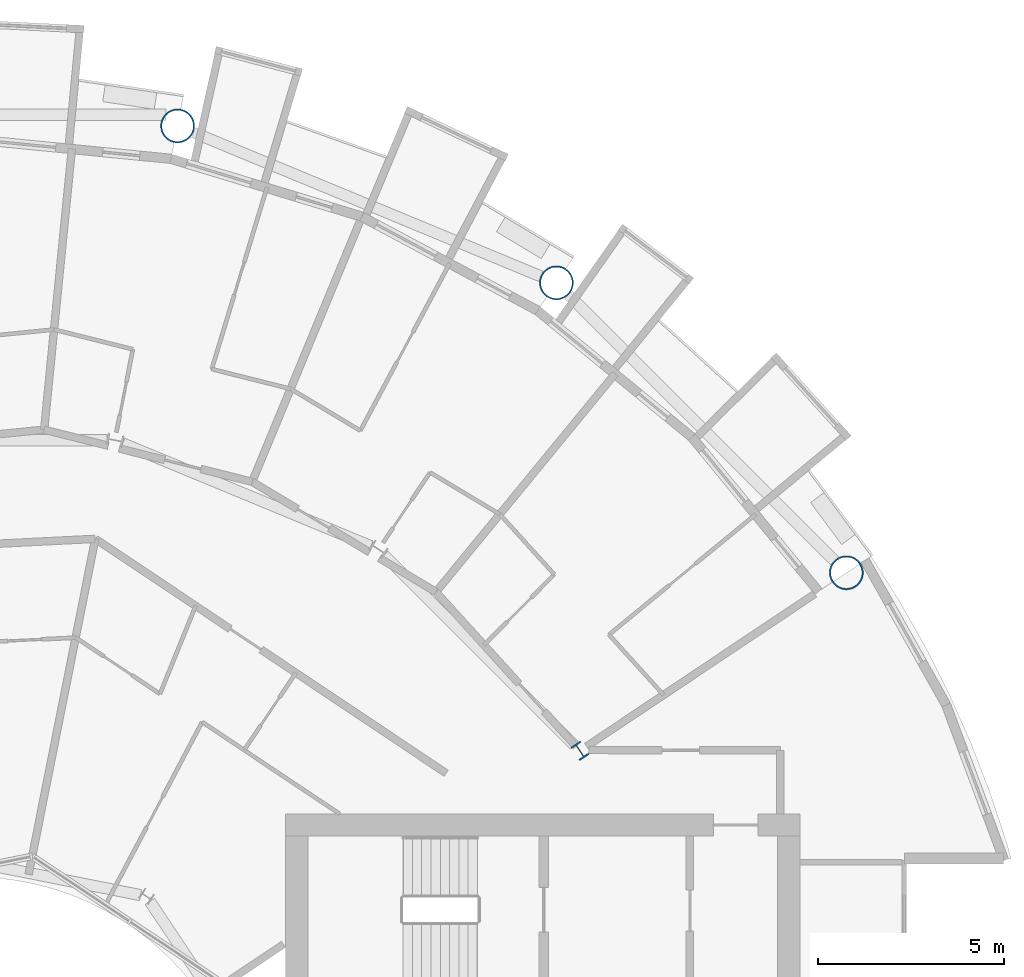
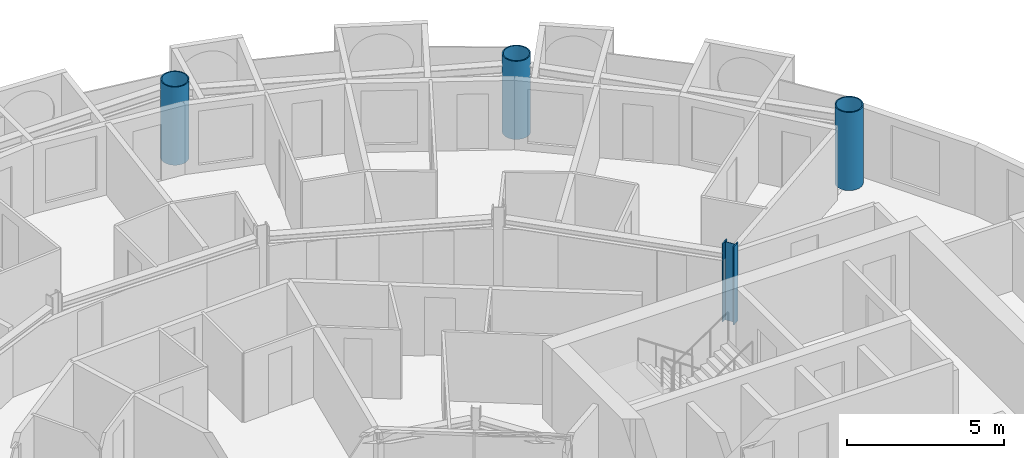
# One storey, part 4 of 27: 4 columns.
"""IFC4 building model written with IfcOpenShell, lengths in metres."""

from ifc_helpers import new_model, si_unit, direction, frame, origin, origin_2d, place, context, subcontext, project, spatial, hollow_circle, i_section, extrude, material, material_profile, profile_set, type_object, element, save


model = new_model("IFC4")

# Units and contexts
model_context = context("Model", 3, precision=1e-05, world=origin(), true_north=direction((0.0, 1.0)))
body_context = subcontext(model_context, "Body", "Model", "MODEL_VIEW")
ifc_project = project(units=[si_unit("LENGTHUNIT", "METRE"), si_unit("AREAUNIT", "SQUARE_METRE"), si_unit("VOLUMEUNIT", "CUBIC_METRE"), si_unit("PLANEANGLEUNIT", "RADIAN"), si_unit("MASSUNIT", "GRAM", prefix="KILO")], contexts=[model_context])

# Site, building, storey
site_placement = place(None, origin())
site = spatial("IfcSite", under=ifc_project, at=site_placement, CompositionType="ELEMENT")
building_placement = place(site_placement, origin())
building = spatial("IfcBuilding", under=site, at=building_placement, Name="Maasbend Ring Residences", CompositionType="ELEMENT")
storey_placement = place(building_placement, frame((0.0, 0.0, 126.89990234375)))
storey = spatial("IfcBuildingStorey", under=building, at=storey_placement, Name="L36", CompositionType="ELEMENT", Elevation=126.89990234375)

# Columns
ifc_material_1 = material(Name="Composite concrete-filled steel tube S460NH / C80/95", Category="concrete")
ifc_material_profile_1 = material_profile(ifc_material_1, hollow_circle(Radius=0.45703125, WallThickness=0.0400390625, at=origin_2d()), Name="Composite tube column CHS 914x40")
ifc_profile_set_1 = profile_set([ifc_material_profile_1], Name="Composite concrete-filled steel tube S460NH / C80/95")
column_type_1 = type_object("IfcColumnType", Name="Composite tube column CHS 914x40", PredefinedType="COLUMN", material=ifc_profile_set_1)
for number, where, z_axis, x_axis, name in (
    (1, (23.447509765625, 15.6669921875, 0.0), (0.0, 0.0, 1.0), (1.0, 0.0, 0.0), "Outer column R2"),
    (2, (15.6669921875, 23.447509765625, 0.0), (0.0, 0.0, 1.0), (1.0, 0.0, 0.0), "Outer column R3"),
    (3, (5.50146484375, 27.658203125, 0.0), (0.0, 0.0, 1.0), (1.0, 0.0, 0.0), "Outer column R4"),
):
    element("IfcColumn", number, at=place(storey_placement, frame(where, z_axis=z_axis, x_axis=x_axis)), inside=storey, type_object=column_type_1, Name=name, PredefinedType="COLUMN", context=body_context, shape_type="SweptSolid", body=[
        extrude(hollow_circle(Radius=0.45703125, WallThickness=0.0400390625, at=origin_2d()), origin(), (0.0, 0.0, 1.0), 3.050048828125),
    ])
ifc_material_2 = material(Name="Steel S460M", Category="steel")
ifc_material_profile_2 = material_profile(ifc_material_2, i_section(OverallWidth=0.306884765625, OverallDepth=0.431884765625, WebThickness=0.02099609375, FlangeThickness=0.0400390625, FilletRadius=0.027099609375, at=origin_2d()), Name="HEM 400")
ifc_profile_set_2 = profile_set([ifc_material_profile_2], Name="Steel S460M")
column_type_2 = type_object("IfcColumnType", Name="Steel column HEM 400", PredefinedType="COLUMN", material=ifc_profile_set_2)
column_placement = place(storey_placement, frame((16.296875, 10.88916015625, 0.0), z_axis=(0.0, 0.0, 1.0), x_axis=(0.831469612303, 0.55557023302, 0.0)))
element("IfcColumn", 4, at=column_placement, inside=storey, type_object=column_type_2, Name="Corridor ring column R2", PredefinedType="COLUMN", context=body_context, shape_type="SweptSolid", body=[
    extrude(i_section(OverallWidth=0.306884765625, OverallDepth=0.431884765625, WebThickness=0.02099609375, FlangeThickness=0.0400390625, FilletRadius=0.027099609375, at=origin_2d()), origin(), (0.0, 0.0, 1.0), 3.050048828125),
])

save(model, "model.ifc")
